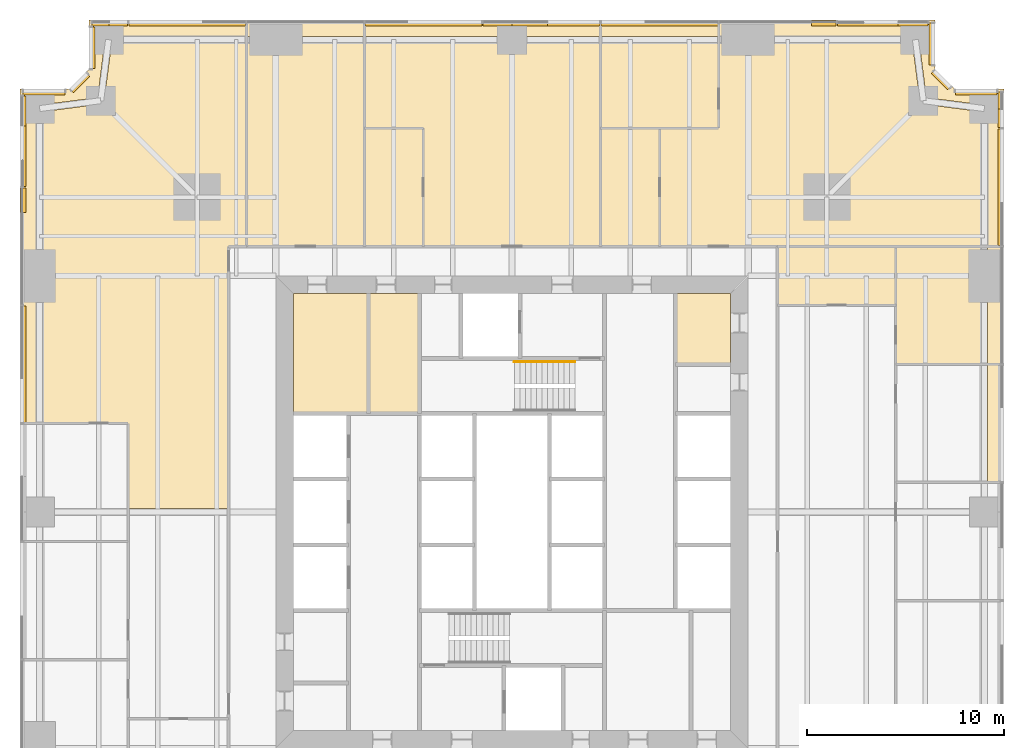
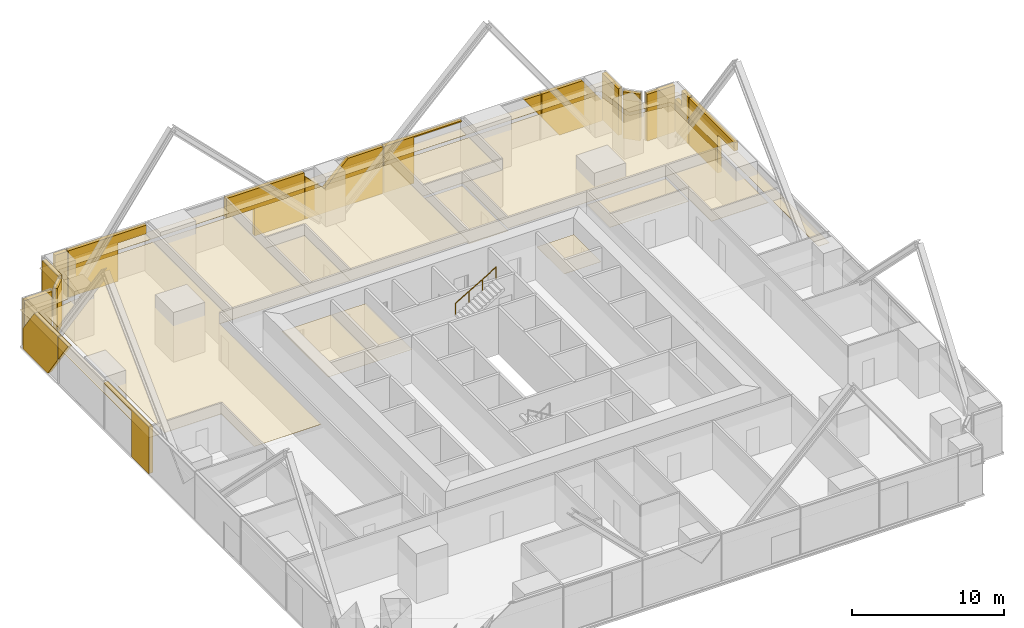
# One storey, part 13 of 13: 37 coverings, 1 railing.
"""IFC4 building model written with IfcOpenShell, lengths in metres."""

import ifcopenshell
import ifcopenshell.guid

model = None  # the IFC model being written
_history = None  # IfcOwnerHistory: only IFC2X3 demands one
_inside = {}  # id of a spatial element -> (the spatial element, [elements in it])
_under = {}  # id of a project, library or spatial element -> (it, [spatial elements below it])
_declared = {}  # id of a project -> (the project, [libraries it declares])
_typed = {}  # id of a type object -> (the type object, [elements of that type])
_made_of = {}  # id of a material, layer set ... -> (it, [elements and type objects made of it])


def new_model(schema):
    """Start an empty IFC model of exactly this schema.

    Asked for "IFC4X3", IfcOpenShell would pick the latest addendum, in which some entities
    have other attributes; the version numbers below select the first issue.
    IFC2X3 requires an IfcOwnerHistory on every rooted entity: one is made here for all.
    """
    global model, _history
    if schema == "IFC4X3":
        model = ifcopenshell.file(schema_version=(4, 3, 0, 0))
    else:
        model = ifcopenshell.file(schema=schema)
    _inside.clear()
    _under.clear()
    _declared.clear()
    _typed.clear()
    _made_of.clear()
    _history = None
    if model.schema == "IFC2X3":
        org = make("IfcOrganization", Name="unknown")
        user = make(
            "IfcPersonAndOrganization",
            ThePerson=make("IfcPerson", FamilyName="unknown"),
            TheOrganization=org,
        )
        app = make(
            "IfcApplication",
            ApplicationDeveloper=org,
            Version="unknown",
            ApplicationFullName="unknown",
            ApplicationIdentifier="unknown",
        )
        _history = make(
            "IfcOwnerHistory",
            OwningUser=user,
            OwningApplication=app,
            ChangeAction="ADDED",
            CreationDate=0,
        )
    return model


def make(cls, **values):
    """One entity of the class cls with the attributes given. An attribute that is None is left unset."""
    return model.create_entity(
        cls, **{name: value for name, value in values.items() if value is not None}
    )


def rooted(cls, **values):
    """An entity with a GlobalId (a new one), such as an element, a storey or a relation."""
    return make(cls, GlobalId=ifcopenshell.guid.new(), OwnerHistory=_history, **values)


def si_unit(unit_type, name, prefix=None):
    """IfcSIUnit, for example si_unit("LENGTHUNIT", "METRE", prefix="MILLI")."""
    return make("IfcSIUnit", UnitType=unit_type, Prefix=prefix, Name=name)


def assignment(units):
    """IfcUnitAssignment: the units of a project."""
    return None if units is None else make("IfcUnitAssignment", Units=units)


def point(xyz):
    """IfcCartesianPoint."""
    return None if xyz is None else make("IfcCartesianPoint", Coordinates=xyz)


def direction(xyz):
    """IfcDirection."""
    return None if xyz is None else make("IfcDirection", DirectionRatios=xyz)


def frame(location, z_axis=None, x_axis=None):
    """IfcAxis2Placement3D, a coordinate frame: its origin and axes. An axis left out is left unset."""
    return make(
        "IfcAxis2Placement3D",
        Location=point(location),
        Axis=direction(z_axis),
        RefDirection=direction(x_axis),
    )


def frame_2d(location, x_axis=None):
    """IfcAxis2Placement2D, a coordinate frame in the plane: its origin and x axis."""
    return make(
        "IfcAxis2Placement2D", Location=point(location), RefDirection=direction(x_axis)
    )


def origin():
    """The frame at (0, 0, 0) with its axes left unset."""
    return frame((0.0, 0.0, 0.0))


def origin_2d():
    """The frame at (0, 0) in the plane with its x axis left unset."""
    return frame_2d((0.0, 0.0))


def place(relative_to, where):
    """IfcLocalPlacement: puts the frame where relative to a parent placement (None: the world)."""
    return make(
        "IfcLocalPlacement", PlacementRelTo=relative_to, RelativePlacement=where
    )


def context(
    kind, dimensions, precision=None, world=None, true_north=None, identifier=None
):
    """IfcGeometricRepresentationContext, for example the 3D "Model" context."""
    return make(
        "IfcGeometricRepresentationContext",
        ContextIdentifier=identifier,
        ContextType=kind,
        CoordinateSpaceDimension=dimensions,
        Precision=precision,
        WorldCoordinateSystem=world,
        TrueNorth=true_north,
    )


def subcontext(parent, identifier, kind, view, scale=None):
    """IfcGeometricRepresentationSubContext, for example "Body" below "Model"."""
    return make(
        "IfcGeometricRepresentationSubContext",
        ContextIdentifier=identifier,
        ContextType=kind,
        ParentContext=parent,
        TargetScale=scale,
        TargetView=view,
    )


def project(units=None, contexts=None):
    """IfcProject with its units and contexts."""
    return rooted(
        "IfcProject",
        Name="project",
        RepresentationContexts=contexts,
        UnitsInContext=assignment(units),
    )


def spatial(cls, under=None, at=None, **own):
    """A site, building, storey or space (cls), placed at a placement, below another one or the project."""
    s = rooted(cls, ObjectPlacement=at, **own)
    if under is not None:
        _under.setdefault(under.id(), (under, []))[1].append(s)
    return s


def polyline(points):
    """IfcPolyline through the points."""
    return make("IfcPolyline", Points=[point(p) for p in points])


def profile(cls, at=None, kind="AREA", **sizes):
    """A parametric profile (cls). Its sizes go by their IFC names, for example OverallWidth=200.0."""
    return make(cls, ProfileType=kind, Position=at, **sizes)


def circle(**sizes):
    """IfcCircleProfileDef."""
    return profile("IfcCircleProfileDef", **sizes)


def outline(outer, holes=None, kind="AREA"):
    """IfcArbitraryClosedProfileDef: a profile drawn as a closed curve; with holes, ...WithVoids."""
    if holes is None:
        return make("IfcArbitraryClosedProfileDef", ProfileType=kind, OuterCurve=outer)
    return make(
        "IfcArbitraryProfileDefWithVoids",
        ProfileType=kind,
        OuterCurve=outer,
        InnerCurves=holes,
    )


def extrude(swept, where, along, depth):
    """IfcExtrudedAreaSolid: the profile swept, set in the frame where, extruded along a direction by depth."""
    return make(
        "IfcExtrudedAreaSolid",
        SweptArea=swept,
        Position=where,
        ExtrudedDirection=direction(along),
        Depth=depth,
    )


def shape(context_of_items, identifier, shape_type, items):
    """IfcShapeRepresentation: the items that make up one representation, for example the "Body"."""
    return make(
        "IfcShapeRepresentation",
        ContextOfItems=context_of_items,
        RepresentationIdentifier=identifier,
        RepresentationType=shape_type,
        Items=items,
    )


def material(Name=None, Category=None):
    """IfcMaterial."""
    return make("IfcMaterial", Name=Name, Category=Category)


def layer(
    of_material, thickness, ventilated=None, Name=None, Category=None, Priority=None
):
    """IfcMaterialLayer: one layer of a wall or slab, of a material (None: an air gap)."""
    return make(
        "IfcMaterialLayer",
        Material=of_material,
        LayerThickness=thickness,
        IsVentilated=ventilated,
        Name=Name,
        Category=Category,
        Priority=Priority,
    )


def layer_set(layers, Name=None):
    """IfcMaterialLayerSet."""
    return make("IfcMaterialLayerSet", MaterialLayers=layers, LayerSetName=Name)


def made_of(thing, what):
    """Note that an element or type object is made of a material, layer set ...; save() writes the relation."""
    if what is not None:
        _made_of.setdefault(what.id(), (what, []))[1].append(thing)
    return thing


def type_object(cls, material=None, **own):
    """A type object (cls), such as IfcWallType, which elements share."""
    return made_of(rooted(cls, **own), material)


def element(
    cls,
    number,
    at=None,
    inside=None,
    cuts=None,
    type_object=None,
    material=None,
    context=None,
    identifier="Body",
    shape_type=None,
    held_by="IfcProductDefinitionShape",
    body=None,
    shapes=None,
    **own,
):
    """One element of the class cls, such as IfcWall. Its Tag is "e" and its number.

    at: its placement. inside: the storey or other place that contains it. cuts: it is an
    opening in that element (IfcRelVoidsElement). A single representation is given by context,
    identifier, shape_type and body (its items); several are given by shapes. held_by: the class
    of the entity that holds the representations. save() writes the other relations.
    """
    e = rooted(cls, Tag="e%d" % number, ObjectPlacement=at, **own)
    if body is not None:
        shapes = [shape(context, identifier, shape_type, body)]
    if shapes is not None:
        e.Representation = make(held_by, Representations=shapes)
    if inside is not None:
        _inside.setdefault(inside.id(), (inside, []))[1].append(e)
    if cuts is not None:
        rooted(
            "IfcRelVoidsElement", RelatingBuildingElement=cuts, RelatedOpeningElement=e
        )
    if type_object is not None:
        _typed.setdefault(type_object.id(), (type_object, []))[1].append(e)
    return made_of(e, material)


def aggregate(whole, parts):
    """IfcRelAggregates: a whole, such as a stair, and the parts it consists of."""
    return rooted("IfcRelAggregates", RelatingObject=whole, RelatedObjects=parts)


def save(model, path):
    """Write the relations noted so far, then the file.

    IfcRelAggregates (storeys below a building ...), IfcRelContainedInSpatialStructure (elements
    in a storey), IfcRelDefinesByType, IfcRelAssociatesMaterial and IfcRelDeclares: one each for
    every whole, place, type object, material and project.
    """
    for whole, parts in _under.values():
        aggregate(whole, parts)
    for where, things in _inside.values():
        rooted(
            "IfcRelContainedInSpatialStructure",
            RelatedElements=things,
            RelatingStructure=where,
        )
    for kind, things in _typed.values():
        rooted("IfcRelDefinesByType", RelatedObjects=things, RelatingType=kind)
    for what, things in _made_of.values():
        rooted("IfcRelAssociatesMaterial", RelatedObjects=things, RelatingMaterial=what)
    for by, libraries in _declared.values():
        rooted("IfcRelDeclares", RelatingContext=by, RelatedDefinitions=libraries)
    model.write(path)


model = new_model("IFC4")

# Units and contexts
model_context = context("Model", 3, precision=1e-05, world=origin(), true_north=direction((0.0, 1.0)))
body_context = subcontext(model_context, "Body", "Model", "MODEL_VIEW")
ifc_project = project(units=[si_unit("LENGTHUNIT", "METRE"), si_unit("AREAUNIT", "SQUARE_METRE"), si_unit("VOLUMEUNIT", "CUBIC_METRE"), si_unit("PLANEANGLEUNIT", "RADIAN"), si_unit("MASSUNIT", "GRAM", prefix="KILO")], contexts=[model_context])

# Site, building, storey
site_placement = place(None, origin())
site = spatial("IfcSite", under=ifc_project, at=site_placement, CompositionType="ELEMENT")
building_placement = place(site_placement, origin())
building = spatial("IfcBuilding", under=site, at=building_placement, Name="Fenwick Lantern Interchange", CompositionType="ELEMENT")
storey_placement = place(building_placement, frame((0.0, 0.0, 43.0)))
storey = spatial("IfcBuildingStorey", under=building, at=storey_placement, Name="L09", CompositionType="ELEMENT", Elevation=43.0)

# Coverings
ifc_material_1 = material(Name="Mineral fibre acoustic tile on suspended grid")
ifc_layer_1 = layer(ifc_material_1, 0.02001953125)
ifc_layer_set_1 = layer_set([ifc_layer_1], Name="ACOUSTIC TILE CEILING 20")
covering_type_1 = type_object("IfcCoveringType", Name="ACOUSTIC TILE CEILING 20", PredefinedType="CEILING", material=ifc_layer_set_1)
covering_1_placement = place(storey_placement, frame((0.0, 0.0, 2.89990234375)))
element("IfcCovering", 1, at=covering_1_placement, inside=storey, type_object=covering_type_1, Name="Office ceiling", PredefinedType="CEILING", context=body_context, shape_type="SweptSolid", body=[
    extrude(outline(polyline([(50.0, 32.5), (49.17236328125, 32.5), (49.17236328125, 26.5), (50.0, 26.5), (50.0, 32.5)])), origin(), (0.0, 0.0, 1.0), 0.02001953125),
])
covering_2_placement = place(storey_placement, frame((0.0, 0.0, 2.89990234375)))
element("IfcCovering", 2, at=covering_2_placement, inside=storey, type_object=covering_type_1, Name="Office ceiling", PredefinedType="CEILING", context=body_context, shape_type="SweptSolid", body=[
    extrude(outline(polyline([(44.5, 32.5), (48.82763671875, 32.5), (48.82763671875, 37.0), (48.82763671875, 38.5), (44.5, 38.5), (44.5, 32.5)])), origin(), (0.0, 0.0, 1.0), 0.02001953125),
])
covering_3_placement = place(storey_placement, frame((0.0, 0.0, 2.89990234375)))
element("IfcCovering", 3, at=covering_3_placement, inside=storey, type_object=covering_type_1, Name="Office ceiling", PredefinedType="CEILING", context=body_context, shape_type="SweptSolid", body=[
    extrude(outline(polyline([(50.0, 38.5), (49.17236328125, 38.5), (49.17236328125, 37.0), (49.17236328125, 32.5), (50.0, 32.5), (50.0, 38.5)])), origin(), (0.0, 0.0, 1.0), 0.02001953125),
])
covering_4_placement = place(storey_placement, frame((0.0, 0.0, 2.89990234375)))
element("IfcCovering", 4, at=covering_4_placement, inside=storey, type_object=covering_type_1, Name="Office suite ceiling", PredefinedType="CEILING", context=body_context, shape_type="SweptSolid", body=[
    extrude(outline(polyline([(32.5, 38.5), (48.82763671875, 38.5), (48.82763671875, 45.348388671875), (45.8779296875, 45.72900390625), (45.89990234375, 45.89990234375), (45.72900390625, 45.8779296875), (45.348388671875, 48.82763671875), (37.0, 48.82763671875), (35.5, 48.82763671875), (35.5, 44.5), (32.5, 44.5), (32.5, 38.5)])), origin(), (0.0, 0.0, 1.0), 0.02001953125),
])
covering_5_placement = place(storey_placement, frame((0.0, 0.0, 2.89990234375)))
element("IfcCovering", 5, at=covering_5_placement, inside=storey, type_object=covering_type_1, Name="Office suite ceiling", PredefinedType="CEILING", context=body_context, shape_type="SweptSolid", body=[
    extrude(outline(polyline([(47.5, 46.5), (46.5, 47.5), (46.5, 50.0), (35.5, 50.0), (35.5, 49.17236328125), (37.0, 49.17236328125), (45.5, 49.17236328125), (45.5, 49.0), (45.6708984375, 49.02197265625), (46.053955078125, 46.053955078125), (49.02197265625, 45.6708984375), (49.0, 45.5), (49.17236328125, 45.5), (49.17236328125, 38.5), (50.0, 38.5), (50.0, 46.5), (47.5, 46.5)])), origin(), (0.0, 0.0, 1.0), 0.02001953125),
])
covering_6_placement = place(storey_placement, frame((0.0, 0.0, 2.89990234375)))
element("IfcCovering", 6, at=covering_6_placement, inside=storey, type_object=covering_type_1, Name="Meeting room ceiling", PredefinedType="CEILING", context=body_context, shape_type="SweptSolid", body=[
    extrude(outline(polyline([(35.5, 44.5), (35.5, 48.82763671875), (29.5, 48.82763671875), (29.5, 44.5), (35.5, 44.5)])), origin(), (0.0, 0.0, 1.0), 0.02001953125),
])
covering_7_placement = place(storey_placement, frame((0.0, 0.0, 2.89990234375)))
element("IfcCovering", 7, at=covering_7_placement, inside=storey, type_object=covering_type_1, Name="Meeting room ceiling", PredefinedType="CEILING", context=body_context, shape_type="SweptSolid", body=[
    extrude(outline(polyline([(29.5, 50.0), (29.5, 49.17236328125), (35.5, 49.17236328125), (35.5, 50.0), (29.5, 50.0)])), origin(), (0.0, 0.0, 1.0), 0.02001953125),
])
covering_8_placement = place(storey_placement, frame((0.0, 0.0, 2.89990234375)))
element("IfcCovering", 8, at=covering_8_placement, inside=storey, type_object=covering_type_1, Name="Office suite ceiling", PredefinedType="CEILING", context=body_context, shape_type="SweptSolid", body=[
    extrude(outline(polyline([(29.5, 38.5), (29.5, 48.82763671875), (25.0, 48.82763671875), (17.5, 48.82763671875), (17.5, 44.5), (20.5, 44.5), (20.5, 38.5), (29.5, 38.5)])), origin(), (0.0, 0.0, 1.0), 0.02001953125),
])
covering_9_placement = place(storey_placement, frame((0.0, 0.0, 2.89990234375)))
element("IfcCovering", 9, at=covering_9_placement, inside=storey, type_object=covering_type_1, Name="Office suite ceiling", PredefinedType="CEILING", context=body_context, shape_type="SweptSolid", body=[
    extrude(outline(polyline([(29.5, 49.17236328125), (29.5, 50.0), (17.5, 50.0), (17.5, 49.17236328125), (25.0, 49.17236328125), (29.5, 49.17236328125)])), origin(), (0.0, 0.0, 1.0), 0.02001953125),
])
covering_10_placement = place(storey_placement, frame((0.0, 0.0, 2.89990234375)))
element("IfcCovering", 10, at=covering_10_placement, inside=storey, type_object=covering_type_1, Name="Office ceiling", PredefinedType="CEILING", context=body_context, shape_type="SweptSolid", body=[
    extrude(outline(polyline([(20.5, 44.5), (17.5, 44.5), (17.5, 38.5), (20.5, 38.5), (20.5, 44.5)])), origin(), (0.0, 0.0, 1.0), 0.02001953125),
])
covering_11_placement = place(storey_placement, frame((0.0, 0.0, 2.89990234375)))
element("IfcCovering", 11, at=covering_11_placement, inside=storey, type_object=covering_type_1, Name="Office suite ceiling", PredefinedType="CEILING", context=body_context, shape_type="SweptSolid", body=[
    extrude(outline(polyline([(17.5, 38.5), (17.5, 48.82763671875), (13.0, 48.82763671875), (11.5, 48.82763671875), (11.5, 38.5), (17.5, 38.5)])), origin(), (0.0, 0.0, 1.0), 0.02001953125),
])
covering_12_placement = place(storey_placement, frame((0.0, 0.0, 2.89990234375)))
element("IfcCovering", 12, at=covering_12_placement, inside=storey, type_object=covering_type_1, Name="Office suite ceiling", PredefinedType="CEILING", context=body_context, shape_type="SweptSolid", body=[
    extrude(outline(polyline([(17.5, 50.0), (11.5, 50.0), (11.5, 49.17236328125), (13.0, 49.17236328125), (17.5, 49.17236328125), (17.5, 50.0)])), origin(), (0.0, 0.0, 1.0), 0.02001953125),
])
covering_13_placement = place(storey_placement, frame((0.0, 0.0, 2.89990234375)))
element("IfcCovering", 13, at=covering_13_placement, inside=storey, type_object=covering_type_1, Name="Office suite ceiling", PredefinedType="CEILING", context=body_context, shape_type="SweptSolid", body=[
    extrude(outline(polyline([(11.5, 38.5), (11.5, 48.82763671875), (4.651611328125, 48.82763671875), (4.27099609375, 45.8779296875), (4.10009765625, 45.89990234375), (4.1220703125, 45.72900390625), (1.17236328125, 45.348388671875), (1.17236328125, 37.0), (1.17236328125, 29.5), (5.5, 29.5), (5.5, 25.175048828125), (10.60009765625, 25.175048828125), (10.60009765625, 38.5), (11.5, 38.5)])), origin(), (0.0, 0.0, 1.0), 0.02001953125),
])
covering_14_placement = place(storey_placement, frame((0.0, 0.0, 2.89990234375)))
element("IfcCovering", 14, at=covering_14_placement, inside=storey, type_object=covering_type_1, Name="Office suite ceiling", PredefinedType="CEILING", context=body_context, shape_type="SweptSolid", body=[
    extrude(outline(polyline([(0.0, 46.5), (0.0, 29.5), (0.82763671875, 29.5), (0.82763671875, 37.0), (0.82763671875, 45.5), (1.0, 45.5), (0.97802734375, 45.6708984375), (3.946044921875, 46.053955078125), (4.3291015625, 49.02197265625), (4.5, 49.0), (4.5, 49.17236328125), (11.5, 49.17236328125), (11.5, 50.0), (3.5, 50.0), (3.5, 47.5), (2.5, 46.5), (0.0, 46.5)])), origin(), (0.0, 0.0, 1.0), 0.02001953125),
])
ifc_material_2 = material(Name="Granite cladding, warm grey flamed finish, on aluminium carrier frame", Category="masonry")
ifc_layer_2 = layer(ifc_material_2, 0.300048828125)
ifc_layer_set_2 = layer_set([ifc_layer_2], Name="BRACE CASING PANEL 300")
covering_type_2 = type_object("IfcCoveringType", Name="BRACE CASING PANEL 300", PredefinedType="CLADDING", material=ifc_layer_set_2)
covering_15_placement = place(storey_placement, frame((49.89990234375, 3.60009765625, 0.0), z_axis=(0.0, 0.0, 1.0), x_axis=(0.0, 1.0, 0.0)))
element("IfcCovering", 15, at=covering_15_placement, inside=storey, type_object=covering_type_2, Name="Brace casing 05 bay 06a", PredefinedType="CLADDING", context=body_context, shape_type="SweptSolid", body=[
    extrude(outline(polyline([(37.097412109375, 0.0), (40.867431640625, 0.0), (40.867431640625, 3.75), (34.9326171875, 3.75), (34.9326171875, 3.059814453125), (37.097412109375, 3.059814453125), (37.097412109375, 0.0)])), frame((0.0, 0.2001953125, 0.0), z_axis=(0.0, -1.0, 0.0), x_axis=(1.0, 0.0, 0.0)), (0.0, 0.0, 1.0), 0.300048828125),
])
covering_16_placement = place(storey_placement, frame((49.89990234375, 3.60009765625, 0.0), z_axis=(0.0, 0.0, 1.0), x_axis=(0.0, 1.0, 0.0)))
element("IfcCovering", 16, at=covering_16_placement, inside=storey, type_object=covering_type_2, Name="Brace casing 05 bay 07a", PredefinedType="CLADDING", context=body_context, shape_type="SweptSolid", body=[
    extrude(outline(polyline([(40.9326171875, 0.0), (42.735107421875, 0.0), (42.735107421875, 2.54296875), (41.875244140625, 2.54296875), (41.875244140625, 3.75), (40.9326171875, 3.75), (40.9326171875, 0.0)])), frame((0.0, 0.2001953125, 0.0), z_axis=(0.0, -1.0, 0.0), x_axis=(1.0, 0.0, 0.0)), (0.0, 0.0, 1.0), 0.300048828125),
])
covering_17_placement = place(storey_placement, frame((49.89990234375, 46.39990234375, 0.0), z_axis=(0.0, 0.0, 1.0), x_axis=(-1.0, 0.0, 0.0)))
element("IfcCovering", 17, at=covering_17_placement, inside=storey, type_object=covering_type_2, Name="Brace casing 06 bay 00a", PredefinedType="CLADDING", context=body_context, shape_type="SweptSolid", body=[
    extrude(outline(polyline([(0.264892578125, 0.0), (2.37646484375, 0.0), (2.37646484375, 3.75), (0.264892578125, 3.75), (0.264892578125, 0.0)])), frame((0.0, 0.2001953125, 0.0), z_axis=(0.0, -1.0, 0.0), x_axis=(1.0, 0.0, 0.0)), (0.0, 0.0, 1.0), 0.300048828125),
])
covering_18_placement = place(storey_placement, frame((47.45849609375, 46.39990234375, 0.0), z_axis=(0.0, 0.0, 1.0), x_axis=(-0.707106781187, 0.707106781187, 0.0)))
element("IfcCovering", 18, at=covering_18_placement, inside=storey, type_object=covering_type_2, Name="Brace casing 07 bay 00a", PredefinedType="CLADDING", context=body_context, shape_type="SweptSolid", body=[
    extrude(outline(polyline([(0.264892578125, 0.0), (1.43212890625, 0.0), (1.43212890625, 3.75), (0.264892578125, 3.75), (0.264892578125, 0.0)])), frame((0.0, 0.2001953125, 0.0), z_axis=(0.0, -1.0, 0.0), x_axis=(1.0, 0.0, 0.0)), (0.0, 0.0, 1.0), 0.300048828125),
])
covering_19_placement = place(storey_placement, frame((46.39990234375, 47.45849609375, 0.0), z_axis=(0.0, 0.0, 1.0), x_axis=(0.0, 1.0, 0.0)))
element("IfcCovering", 19, at=covering_19_placement, inside=storey, type_object=covering_type_2, Name="Brace casing 08 bay 00a", PredefinedType="CLADDING", context=body_context, shape_type="SweptSolid", body=[
    extrude(outline(polyline([(0.264892578125, 0.0), (2.37646484375, 0.0), (2.37646484375, 3.75), (0.264892578125, 3.75), (0.264892578125, 0.0)])), frame((0.0, 0.2001953125, 0.0), z_axis=(0.0, -1.0, 0.0), x_axis=(1.0, 0.0, 0.0)), (0.0, 0.0, 1.0), 0.300048828125),
])
covering_20_placement = place(storey_placement, frame((46.39990234375, 49.89990234375, 0.0), z_axis=(0.0, 0.0, 1.0), x_axis=(-1.0, 0.0, 0.0)))
element("IfcCovering", 20, at=covering_20_placement, inside=storey, type_object=covering_type_2, Name="Brace casing 09 bay 00a", PredefinedType="CLADDING", context=body_context, shape_type="SweptSolid", body=[
    extrude(outline(polyline([(0.264892578125, 0.0), (3.53515625, 0.0), (4.867431640625, 1.881103515625), (4.867431640625, 3.75), (1.77978515625, 3.75), (0.264892578125, 1.611572265625), (0.264892578125, 0.0)])), frame((0.0, 0.2001953125, 0.0), z_axis=(0.0, -1.0, 0.0), x_axis=(1.0, 0.0, 0.0)), (0.0, 0.0, 1.0), 0.300048828125),
])
covering_21_placement = place(storey_placement, frame((46.39990234375, 49.89990234375, 1.972900390625), z_axis=(0.0, 0.0, 1.0), x_axis=(-1.0, 0.0, 0.0)))
element("IfcCovering", 21, at=covering_21_placement, inside=storey, type_object=covering_type_2, Name="Brace casing 09 bay 01a", PredefinedType="CLADDING", context=body_context, shape_type="SweptSolid", body=[
    extrude(outline(polyline([(4.9326171875, 0.0), (6.19140625, 1.777099609375), (4.9326171875, 1.777099609375), (4.9326171875, 0.0)])), frame((0.0, 0.2001953125, 0.0), z_axis=(0.0, -1.0, 0.0), x_axis=(1.0, 0.0, 0.0)), (0.0, 0.0, 1.0), 0.300048828125),
])
covering_22_placement = place(storey_placement, frame((46.39990234375, 49.89990234375, 0.0), z_axis=(0.0, 0.0, 1.0), x_axis=(-1.0, 0.0, 0.0)))
element("IfcCovering", 22, at=covering_22_placement, inside=storey, type_object=covering_type_2, Name="Brace casing 09 bay 02a", PredefinedType="CLADDING", context=body_context, shape_type="SweptSolid", body=[
    extrude(outline(polyline([(14.592529296875, 0.0), (16.867431640625, 0.0), (16.867431640625, 3.75), (10.9326171875, 3.75), (10.9326171875, 3.656005859375), (14.592529296875, 3.656005859375), (14.592529296875, 0.0)])), frame((0.0, 0.2001953125, 0.0), z_axis=(0.0, -1.0, 0.0), x_axis=(1.0, 0.0, 0.0)), (0.0, 0.0, 1.0), 0.300048828125),
])
covering_23_placement = place(storey_placement, frame((46.39990234375, 49.89990234375, 0.0), z_axis=(0.0, 0.0, 1.0), x_axis=(-1.0, 0.0, 0.0)))
element("IfcCovering", 23, at=covering_23_placement, inside=storey, type_object=covering_type_2, Name="Brace casing 09 bay 03a", PredefinedType="CLADDING", context=body_context, shape_type="SweptSolid", body=[
    extrude(outline(polyline([(16.9326171875, 0.0), (22.867431640625, 0.0), (22.867431640625, 3.406982421875), (21.39990234375, 1.939453125), (19.589599609375, 3.75), (16.9326171875, 3.75), (16.9326171875, 0.0)])), frame((0.0, 0.2001953125, 0.0), z_axis=(0.0, -1.0, 0.0), x_axis=(1.0, 0.0, 0.0)), (0.0, 0.0, 1.0), 0.300048828125),
])
covering_24_placement = place(storey_placement, frame((46.39990234375, 49.89990234375, 0.0), z_axis=(0.0, 0.0, 1.0), x_axis=(-1.0, 0.0, 0.0)))
element("IfcCovering", 24, at=covering_24_placement, inside=storey, type_object=covering_type_2, Name="Brace casing 09 bay 04a", PredefinedType="CLADDING", context=body_context, shape_type="SweptSolid", body=[
    extrude(outline(polyline([(22.9326171875, 0.0), (26.711669921875, 0.0), (26.711669921875, 2.159912109375), (28.867431640625, 2.159912109375), (28.867431640625, 3.75), (22.9326171875, 3.75), (22.9326171875, 0.0)])), frame((0.0, 0.2001953125, 0.0), z_axis=(0.0, -1.0, 0.0), x_axis=(1.0, 0.0, 0.0)), (0.0, 0.0, 1.0), 0.300048828125),
])
covering_25_placement = place(storey_placement, frame((46.39990234375, 49.89990234375, 0.0), z_axis=(0.0, 0.0, 1.0), x_axis=(-1.0, 0.0, 0.0)))
element("IfcCovering", 25, at=covering_25_placement, inside=storey, type_object=covering_type_2, Name="Brace casing 09 bay 06a", PredefinedType="CLADDING", context=body_context, shape_type="SweptSolid", body=[
    extrude(outline(polyline([(37.097412109375, 0.0), (40.867431640625, 0.0), (40.867431640625, 3.75), (34.9326171875, 3.75), (34.9326171875, 3.059814453125), (37.097412109375, 3.059814453125), (37.097412109375, 0.0)])), frame((0.0, 0.2001953125, 0.0), z_axis=(0.0, -1.0, 0.0), x_axis=(1.0, 0.0, 0.0)), (0.0, 0.0, 1.0), 0.300048828125),
])
covering_26_placement = place(storey_placement, frame((46.39990234375, 49.89990234375, 0.0), z_axis=(0.0, 0.0, 1.0), x_axis=(-1.0, 0.0, 0.0)))
element("IfcCovering", 26, at=covering_26_placement, inside=storey, type_object=covering_type_2, Name="Brace casing 09 bay 07a", PredefinedType="CLADDING", context=body_context, shape_type="SweptSolid", body=[
    extrude(outline(polyline([(40.9326171875, 0.0), (42.735107421875, 0.0), (42.735107421875, 2.54296875), (41.875244140625, 2.54296875), (41.875244140625, 3.75), (40.9326171875, 3.75), (40.9326171875, 0.0)])), frame((0.0, 0.2001953125, 0.0), z_axis=(0.0, -1.0, 0.0), x_axis=(1.0, 0.0, 0.0)), (0.0, 0.0, 1.0), 0.300048828125),
])
covering_27_placement = place(storey_placement, frame((3.60009765625, 49.89990234375, 0.0), z_axis=(0.0, 0.0, 1.0), x_axis=(0.0, -1.0, 0.0)))
element("IfcCovering", 27, at=covering_27_placement, inside=storey, type_object=covering_type_2, Name="Brace casing 10 bay 00a", PredefinedType="CLADDING", context=body_context, shape_type="SweptSolid", body=[
    extrude(outline(polyline([(0.264892578125, 0.0), (2.37646484375, 0.0), (2.37646484375, 3.75), (0.264892578125, 3.75), (0.264892578125, 0.0)])), frame((0.0, 0.2001953125, 0.0), z_axis=(0.0, -1.0, 0.0), x_axis=(1.0, 0.0, 0.0)), (0.0, 0.0, 1.0), 0.300048828125),
])
covering_28_placement = place(storey_placement, frame((3.60009765625, 47.45849609375, 0.0), z_axis=(0.0, 0.0, 1.0), x_axis=(-0.707106781187, -0.707106781187, 0.0)))
element("IfcCovering", 28, at=covering_28_placement, inside=storey, type_object=covering_type_2, Name="Brace casing 11 bay 00a", PredefinedType="CLADDING", context=body_context, shape_type="SweptSolid", body=[
    extrude(outline(polyline([(0.264892578125, 0.0), (1.43212890625, 0.0), (1.43212890625, 3.75), (0.264892578125, 3.75), (0.264892578125, 0.0)])), frame((0.0, 0.2001953125, 0.0), z_axis=(0.0, -1.0, 0.0), x_axis=(1.0, 0.0, 0.0)), (0.0, 0.0, 1.0), 0.300048828125),
])
covering_29_placement = place(storey_placement, frame((2.54150390625, 46.39990234375, 0.0), z_axis=(0.0, 0.0, 1.0), x_axis=(-1.0, 0.0, 0.0)))
element("IfcCovering", 29, at=covering_29_placement, inside=storey, type_object=covering_type_2, Name="Brace casing 12 bay 00a", PredefinedType="CLADDING", context=body_context, shape_type="SweptSolid", body=[
    extrude(outline(polyline([(0.264892578125, 0.0), (2.37646484375, 0.0), (2.37646484375, 3.75), (0.264892578125, 3.75), (0.264892578125, 0.0)])), frame((0.0, 0.2001953125, 0.0), z_axis=(0.0, -1.0, 0.0), x_axis=(1.0, 0.0, 0.0)), (0.0, 0.0, 1.0), 0.300048828125),
])
covering_30_placement = place(storey_placement, frame((0.10009765625, 46.39990234375, 0.0), z_axis=(0.0, 0.0, 1.0), x_axis=(0.0, -1.0, 0.0)))
element("IfcCovering", 30, at=covering_30_placement, inside=storey, type_object=covering_type_2, Name="Brace casing 13 bay 00a", PredefinedType="CLADDING", context=body_context, shape_type="SweptSolid", body=[
    extrude(outline(polyline([(0.264892578125, 0.0), (3.53515625, 0.0), (4.867431640625, 1.881103515625), (4.867431640625, 3.75), (1.77978515625, 3.75), (0.264892578125, 1.611572265625), (0.264892578125, 0.0)])), frame((0.0, 0.2001953125, 0.0), z_axis=(0.0, -1.0, 0.0), x_axis=(1.0, 0.0, 0.0)), (0.0, 0.0, 1.0), 0.300048828125),
])
covering_31_placement = place(storey_placement, frame((0.10009765625, 46.39990234375, 1.972900390625), z_axis=(0.0, 0.0, 1.0), x_axis=(0.0, -1.0, 0.0)))
element("IfcCovering", 31, at=covering_31_placement, inside=storey, type_object=covering_type_2, Name="Brace casing 13 bay 01a", PredefinedType="CLADDING", context=body_context, shape_type="SweptSolid", body=[
    extrude(outline(polyline([(4.9326171875, 0.0), (6.19140625, 1.777099609375), (4.9326171875, 1.777099609375), (4.9326171875, 0.0)])), frame((0.0, 0.2001953125, 0.0), z_axis=(0.0, -1.0, 0.0), x_axis=(1.0, 0.0, 0.0)), (0.0, 0.0, 1.0), 0.300048828125),
])
covering_32_placement = place(storey_placement, frame((0.10009765625, 46.39990234375, 0.0), z_axis=(0.0, 0.0, 1.0), x_axis=(0.0, -1.0, 0.0)))
element("IfcCovering", 32, at=covering_32_placement, inside=storey, type_object=covering_type_2, Name="Brace casing 13 bay 02a", PredefinedType="CLADDING", context=body_context, shape_type="SweptSolid", body=[
    extrude(outline(polyline([(14.592529296875, 0.0), (16.867431640625, 0.0), (16.867431640625, 3.75), (10.9326171875, 3.75), (10.9326171875, 3.656005859375), (14.592529296875, 3.656005859375), (14.592529296875, 0.0)])), frame((0.0, 0.2001953125, 0.0), z_axis=(0.0, -1.0, 0.0), x_axis=(1.0, 0.0, 0.0)), (0.0, 0.0, 1.0), 0.300048828125),
])

# Railing
ifc_material_3 = material(Name="Stainless steel handrail", Category="steel")
railing_type = type_object("IfcRailingType", Name="HANDRAIL 900", PredefinedType="HANDRAIL", material=ifc_material_3)
railing_placement = place(storey_placement, frame((25.1201171875, 32.6259765625, 2.166748046875)))
element("IfcRailing", 33, at=railing_placement, inside=storey, type_object=railing_type, Name="L09/STAIR/ST2/HR2", PredefinedType="HANDRAIL", context=body_context, shape_type="SweptSolid", body=[
    extrude(circle(Radius=0.02392578125, at=origin_2d()), frame((0.0, 0.0, 0.8759765625), z_axis=(0.859290745958, 0.0, 0.51148745235), x_axis=(0.0, 1.0, 0.0)), (0.0, 0.0, 1.0), 3.584228515625),
    extrude(circle(Radius=0.02099609375, at=origin_2d()), origin(), (0.0, 0.0, 1.0), 0.851806640625),
    extrude(circle(Radius=0.02099609375, at=origin_2d()), frame((1.026611328125, 0.0, 0.611083984375)), (0.0, 0.0, 1.0), 0.851806640625),
    extrude(circle(Radius=0.02099609375, at=origin_2d()), frame((2.05322265625, 0.0, 1.22216796875)), (0.0, 0.0, 1.0), 0.851806640625),
    extrude(circle(Radius=0.02099609375, at=origin_2d()), frame((3.079833984375, 0.0, 1.833251953125)), (0.0, 0.0, 1.0), 0.851806640625),
])

# Coverings
ifc_material_4 = material(Name="Moisture resistant gypsum board on suspended frame, painted")
ifc_layer_3 = layer(ifc_material_4, 0.014892578125)
ifc_layer_set_3 = layer_set([ifc_layer_3], Name="MOISTURE RESISTANT CEILING 15")
covering_type_3 = type_object("IfcCoveringType", Name="MOISTURE RESISTANT CEILING 15", PredefinedType="CEILING", material=ifc_layer_set_3)
covering_33_placement = place(storey_placement, frame((0.0, 0.0, 2.60009765625)))
element("IfcCovering", 34, at=covering_33_placement, inside=storey, type_object=covering_type_3, Name="Men's WC ceiling", PredefinedType="CEILING", context=body_context, shape_type="SweptSolid", body=[
    extrude(outline(polyline([(20.300048828125, 36.10009765625), (17.699951171875, 36.10009765625), (17.699951171875, 30.0), (20.300048828125, 30.0), (20.300048828125, 36.10009765625)])), origin(), (0.0, 0.0, 1.0), 0.014892578125),
])
covering_34_placement = place(storey_placement, frame((0.0, 0.0, 2.60009765625)))
element("IfcCovering", 35, at=covering_34_placement, inside=storey, type_object=covering_type_3, Name="Women's WC ceiling", PredefinedType="CEILING", context=body_context, shape_type="SweptSolid", body=[
    extrude(outline(polyline([(17.699951171875, 36.10009765625), (13.89990234375, 36.10009765625), (13.89990234375, 30.0), (17.699951171875, 30.0), (17.699951171875, 36.10009765625)])), origin(), (0.0, 0.0, 1.0), 0.014892578125),
])
covering_35_placement = place(storey_placement, frame((0.0, 0.0, 2.60009765625)))
element("IfcCovering", 36, at=covering_35_placement, inside=storey, type_object=covering_type_3, Name="Accessible WC and shower ceiling", PredefinedType="CEILING", context=body_context, shape_type="SweptSolid", body=[
    extrude(outline(polyline([(36.10009765625, 36.10009765625), (33.300048828125, 36.10009765625), (33.300048828125, 32.5), (36.10009765625, 32.5), (36.10009765625, 36.10009765625)])), origin(), (0.0, 0.0, 1.0), 0.014892578125),
])
covering_36_placement = place(storey_placement, frame((0.0, 0.0, 2.699951171875)))
element("IfcCovering", 37, at=covering_36_placement, inside=storey, type_object=covering_type_3, Name="Pantry ceiling", PredefinedType="CEILING", context=body_context, shape_type="SweptSolid", body=[
    extrude(outline(polyline([(44.5, 35.5), (44.5, 38.5), (38.5, 38.5), (38.5, 35.5), (44.5, 35.5)])), origin(), (0.0, 0.0, 1.0), 0.01513671875),
])
covering_37_placement = place(storey_placement, frame((0.0, 0.0, 2.699951171875)))
element("IfcCovering", 38, at=covering_37_placement, inside=storey, type_object=covering_type_3, Name="Pantry ceiling", PredefinedType="CEILING", context=body_context, shape_type="SweptSolid", body=[
    extrude(outline(polyline([(32.5, 44.5), (29.5, 44.5), (29.5, 38.5), (32.5, 38.5), (32.5, 44.5)])), origin(), (0.0, 0.0, 1.0), 0.01513671875),
])

save(model, "model.ifc")
